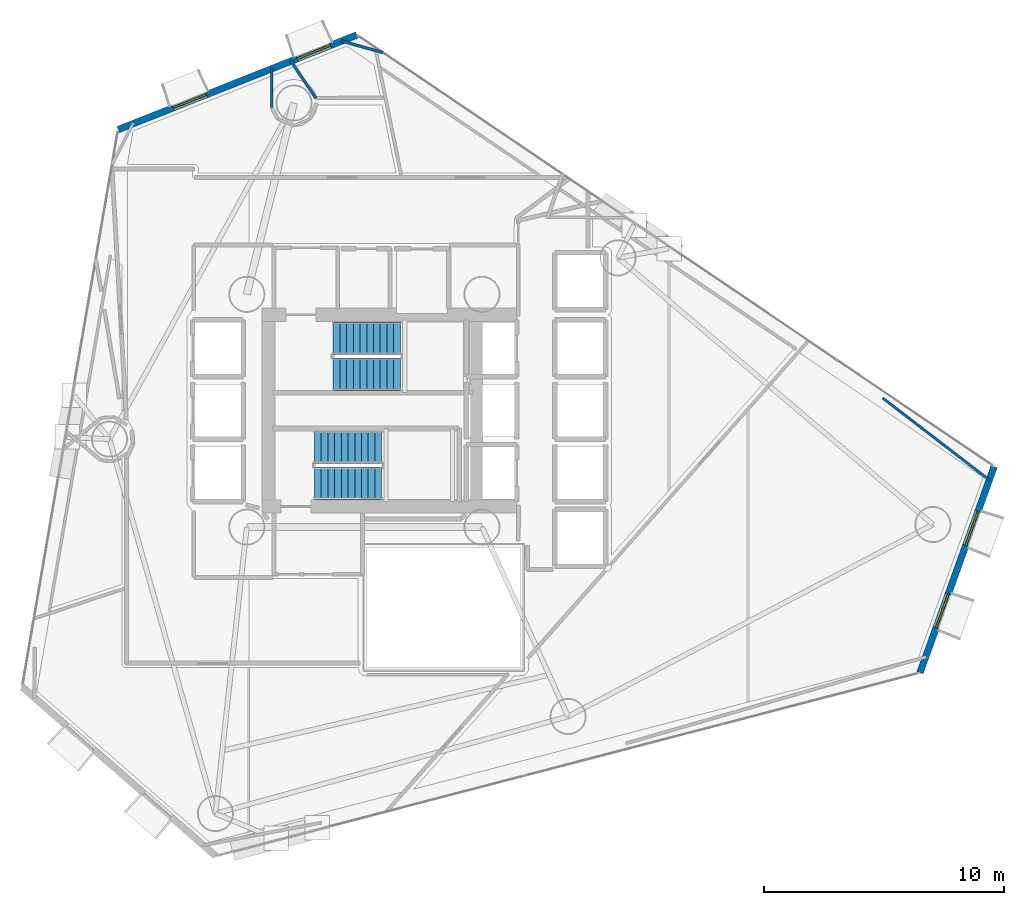
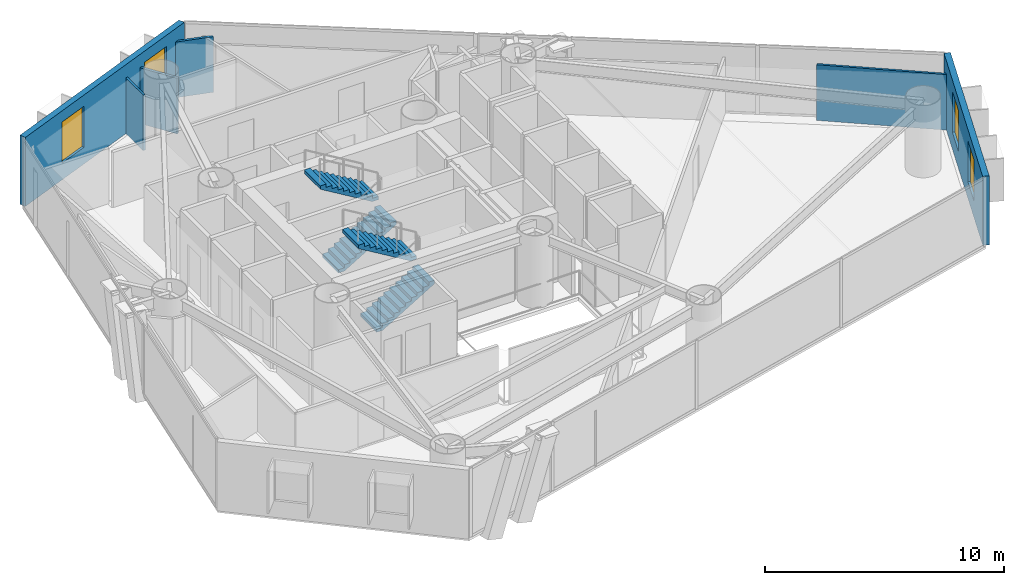
# One storey, part 18 of 21: 6 walls, 4 stair flights, 4 windows, 4 openings, 2 elements without a shape of their own.
"""IFC4 building model written with IfcOpenShell, lengths in metres."""

from ifc_helpers import new_model, si_unit, direction, frame, frame_2d, origin, place, context, subcontext, project, spatial, polyline, rectangle, outline, extrude, material, layer, layer_set, type_object, element, fill, aggregate, save


model = new_model("IFC4")

# Units and contexts
model_context = context("Model", 3, precision=1e-05, world=origin(), true_north=direction((0.0, 1.0)))
body_context = subcontext(model_context, "Body", "Model", "MODEL_VIEW")
ifc_project = project(units=[si_unit("LENGTHUNIT", "METRE"), si_unit("AREAUNIT", "SQUARE_METRE"), si_unit("VOLUMEUNIT", "CUBIC_METRE"), si_unit("PLANEANGLEUNIT", "RADIAN"), si_unit("MASSUNIT", "GRAM", prefix="KILO")], contexts=[model_context])

# Site, building, storey
site_placement = place(None, origin())
site = spatial("IfcSite", under=ifc_project, at=site_placement, CompositionType="ELEMENT")
building_placement = place(site_placement, origin())
building = spatial("IfcBuilding", under=site, at=building_placement, Name="Qianvela Tower", CompositionType="ELEMENT")
storey_placement = place(building_placement, frame((0.0, 0.0, 105.199951171875)))
storey = spatial("IfcBuildingStorey", under=building, at=storey_placement, Name="L26", CompositionType="ELEMENT", Elevation=105.199951171875)

# Wall, openings, windows
ifc_material_1 = material(Name="Terracotta Cladding on Concrete C40", Category="masonry")
ifc_layer_1 = layer(ifc_material_1, 0.280029296875)
ifc_layer_set_1 = layer_set([ifc_layer_1], Name="Terracotta Cladding on Concrete C40")
wall_type_1 = type_object("IfcWallType", Name="TERRACOTTA-WALL-280", PredefinedType="SOLIDWALL", material=ifc_layer_set_1)
wall_1_placement = place(storey_placement, frame((56.656494140625, 17.77783203125, 0.0), z_axis=(0.0, 0.0, 1.0), x_axis=(0.338454364394, 0.940982807081, 0.0)))
wall_1 = element("IfcWall", 1, at=wall_1_placement, inside=storey, type_object=wall_type_1, Name="L26 Terracotta Chamfer Facet Wall 1", PredefinedType="SOLIDWALL", context=body_context, shape_type="SweptSolid", body=[
    extrude(rectangle(XDim=9.13134765625, YDim=0.280029296875, at=frame_2d((4.565673828125, 0.0))), origin(), (0.0, 0.0, 1.0), 3.52001953125),
])
opening_1_placement = place(wall_1_placement, frame((1.989501953125, 0.0, 0.85009765625)))
opening_1 = element("IfcOpeningElement", 2, at=opening_1_placement, cuts=wall_1, Name="Opening W-02", PredefinedType="OPENING", context=body_context, shape_type="SweptSolid", body=[
    extrude(rectangle(XDim=1.5, YDim=2.10009765625, at=frame_2d((0.75, 1.050048828125))), frame((0.0, 0.14990234375, 0.0), z_axis=(0.0, -1.0, 0.0), x_axis=(1.0, 0.0, 0.0)), (0.0, 0.0, 1.0), 0.300048828125),
])
opening_2_placement = place(wall_1_placement, frame((5.64208984375, 0.0, 0.85009765625)))
opening_2 = element("IfcOpeningElement", 3, at=opening_2_placement, cuts=wall_1, Name="Opening W-02", PredefinedType="OPENING", context=body_context, shape_type="SweptSolid", body=[
    extrude(rectangle(XDim=1.5, YDim=2.10009765625, at=frame_2d((0.75, 1.050048828125))), frame((0.0, 0.14990234375, 0.0), z_axis=(0.0, -1.0, 0.0), x_axis=(1.0, 0.0, 0.0)), (0.0, 0.0, 1.0), 0.300048828125),
])
ifc_material_2 = material(Name="Thermally Broken Aluminium and Low-E Glass", Category="aluminium")
window_type = type_object("IfcWindowType", Name="WIN-TC-1500x2100", PartitioningType="DOUBLE_PANEL_VERTICAL", PredefinedType="WINDOW", material=ifc_material_2)
window_1_placement = place(opening_1_placement, origin())
window_1 = element("IfcWindow", 4, at=window_1_placement, inside=storey, type_object=window_type, Name="L26 Chamfer Facet Window 1.1", OverallHeight=2.10009765625, OverallWidth=1.5, PartitioningType="SINGLE_PANEL", PredefinedType="WINDOW", context=body_context, shape_type="SweptSolid", body=[
    extrude(rectangle(XDim=1.5, YDim=2.10009765625, at=frame_2d((0.75, 1.050048828125))), frame((0.0, 0.030029296875, 0.0), z_axis=(0.0, -1.0, 0.0), x_axis=(1.0, 0.0, 0.0)), (0.0, 0.0, 1.0), 0.06005859375),
])
fill(opening_1, window_1)
window_2_placement = place(opening_2_placement, origin())
window_2 = element("IfcWindow", 5, at=window_2_placement, inside=storey, type_object=window_type, Name="L26 Chamfer Facet Window 1.2", OverallHeight=2.10009765625, OverallWidth=1.5, PartitioningType="SINGLE_PANEL", PredefinedType="WINDOW", context=body_context, shape_type="SweptSolid", body=[
    extrude(rectangle(XDim=1.5, YDim=2.10009765625, at=frame_2d((0.75, 1.050048828125))), frame((0.0, 0.030029296875, 0.0), z_axis=(0.0, -1.0, 0.0), x_axis=(1.0, 0.0, 0.0)), (0.0, 0.0, 1.0), 0.06005859375),
])
fill(opening_2, window_2)

wall_2_placement = place(storey_placement, frame((33.188232421875, 44.36083984375, 0.0), z_axis=(0.0, 0.0, 1.0), x_axis=(-0.929607947385, -0.368549947983, 0.0)))
wall_2 = element("IfcWall", 6, at=wall_2_placement, inside=storey, type_object=wall_type_1, Name="L26 Terracotta Chamfer Facet Wall 3", PredefinedType="SOLIDWALL", context=body_context, shape_type="SweptSolid", body=[
    extrude(rectangle(XDim=10.705078125, YDim=0.280029296875, at=frame_2d((5.3525390625, 0.0))), origin(), (0.0, 0.0, 1.0), 3.52001953125),
])
opening_3_placement = place(wall_2_placement, frame((1.181396484375, 0.0, 0.85009765625)))
opening_3 = element("IfcOpeningElement", 7, at=opening_3_placement, cuts=wall_2, Name="Opening W-02", PredefinedType="OPENING", context=body_context, shape_type="SweptSolid", body=[
    extrude(rectangle(XDim=1.5, YDim=2.10009765625, at=frame_2d((0.75, 1.050048828125))), frame((0.0, 0.14990234375, 0.0), z_axis=(0.0, -1.0, 0.0), x_axis=(1.0, 0.0, 0.0)), (0.0, 0.0, 1.0), 0.300048828125),
])
opening_4_placement = place(wall_2_placement, frame((6.743408203125, 0.0, 0.85009765625)))
opening_4 = element("IfcOpeningElement", 8, at=opening_4_placement, cuts=wall_2, Name="Opening W-02", PredefinedType="OPENING", context=body_context, shape_type="SweptSolid", body=[
    extrude(rectangle(XDim=1.5, YDim=2.10009765625, at=frame_2d((0.75, 1.050048828125))), frame((0.0, 0.14990234375, 0.0), z_axis=(0.0, -1.0, 0.0), x_axis=(1.0, 0.0, 0.0)), (0.0, 0.0, 1.0), 0.300048828125),
])
window_3_placement = place(opening_3_placement, origin())
window_3 = element("IfcWindow", 9, at=window_3_placement, inside=storey, type_object=window_type, Name="L26 Chamfer Facet Window 3.1", OverallHeight=2.10009765625, OverallWidth=1.5, PartitioningType="SINGLE_PANEL", PredefinedType="WINDOW", context=body_context, shape_type="SweptSolid", body=[
    extrude(rectangle(XDim=1.5, YDim=2.10009765625, at=frame_2d((0.75, 1.050048828125))), frame((0.0, 0.030029296875, 0.0), z_axis=(0.0, -1.0, 0.0), x_axis=(1.0, 0.0, 0.0)), (0.0, 0.0, 1.0), 0.06005859375),
])
fill(opening_3, window_3)
window_4_placement = place(opening_4_placement, origin())
window_4 = element("IfcWindow", 10, at=window_4_placement, inside=storey, type_object=window_type, Name="L26 Chamfer Facet Window 3.2", OverallHeight=2.10009765625, OverallWidth=1.5, PartitioningType="SINGLE_PANEL", PredefinedType="WINDOW", context=body_context, shape_type="SweptSolid", body=[
    extrude(rectangle(XDim=1.5, YDim=2.10009765625, at=frame_2d((0.75, 1.050048828125))), frame((0.0, 0.030029296875, 0.0), z_axis=(0.0, -1.0, 0.0), x_axis=(1.0, 0.0, 0.0)), (0.0, 0.0, 1.0), 0.06005859375),
])
fill(opening_4, window_4)

# Walls
ifc_material_3 = material(Name="Lightweight Gypsum Room Partition")
ifc_layer_2 = layer(ifc_material_3, 0.10498046875)
ifc_layer_set_2 = layer_set([ifc_layer_2], Name="Lightweight Gypsum Room Partition")
wall_type_2 = type_object("IfcWallType", Name="WT-PART-105", PredefinedType="PARTITIONING", material=ifc_layer_set_2)
wall_3_placement = place(storey_placement, frame((55.105712890625, 29.224365234375, 0.0), z_axis=(0.0, 0.0, 1.0), x_axis=(0.792945217065, -0.609292936717, 0.0)))
element("IfcWall", 11, at=wall_3_placement, inside=storey, type_object=wall_type_2, Name="L26 Partition 65 seg 1", PredefinedType="PARTITIONING", context=body_context, shape_type="SweptSolid", body=[
    extrude(rectangle(XDim=5.62060546875, YDim=0.10498046875, at=frame_2d((2.810302734375, 0.0))), origin(), (0.0, 0.0, 1.0), 2.840087890625),
])
wall_4_placement = place(storey_placement, frame((29.640380859375, 42.974365234375, 0.0), z_axis=(0.0, 0.0, 1.0), x_axis=(0.0, -1.0, 0.0)))
element("IfcWall", 12, at=wall_4_placement, inside=storey, type_object=wall_type_2, Name="L26 Partition 95", PredefinedType="PARTITIONING", context=body_context, shape_type="SweptSolid", body=[
    extrude(rectangle(XDim=1.630859375, YDim=0.10498046875, at=frame_2d((0.8154296875, 0.0))), origin(), (0.0, 0.0, 1.0), 2.840087890625),
])
ifc_material_4 = material(Name="Insulated Gypsum Stud Partition")
ifc_layer_3 = layer(ifc_material_4, 0.1201171875)
ifc_layer_set_3 = layer_set([ifc_layer_3], Name="Insulated Gypsum Stud Partition")
wall_type_3 = type_object("IfcWallType", Name="WT-PART-120", PredefinedType="PARTITIONING", material=ifc_layer_set_3)
wall_5_placement = place(storey_placement, frame((32.523681640625, 44.115234375, 0.0), z_axis=(0.0, 0.0, 1.0), x_axis=(0.962878976212, -0.269933468042, 0.0)))
element("IfcWall", 13, at=wall_5_placement, inside=storey, type_object=wall_type_3, Name="L26 Partition 88", PredefinedType="PARTITIONING", context=body_context, shape_type="SweptSolid", body=[
    extrude(rectangle(XDim=1.81982421875, YDim=0.1201171875, at=frame_2d((0.909912109375, 0.0))), origin(), (0.0, 0.0, 1.0), 2.840087890625),
])
wall_6_placement = place(storey_placement, frame((31.481201171875, 41.71923828125, 0.0), z_axis=(0.0, 0.0, 1.0), x_axis=(-0.556846029643, 0.830615735025, 0.0)))
element("IfcWall", 14, at=wall_6_placement, inside=storey, type_object=wall_type_3, Name="L26 Partition 91", PredefinedType="PARTITIONING", context=body_context, shape_type="SweptSolid", body=[
    extrude(rectangle(XDim=1.888671875, YDim=0.1201171875, at=frame_2d((0.9443359375, 0.0))), origin(), (0.0, 0.0, 1.0), 2.840087890625),
])

# Stair, stair flights
ifc_material_5 = material(Name="Concrete C40", Category="concrete")
stair_type = type_object("IfcStairType", Name="ST-DOGLEG-1350-R168-N22", PredefinedType="HALF_TURN_STAIR", material=ifc_material_5)
stair_1_placement = place(storey_placement, origin())
stair_1 = element("IfcStair", 15, at=stair_1_placement, inside=storey, type_object=stair_type, Name="L26 Smoke-Proof Core Stair ST-1", PredefinedType="HALF_TURN_STAIR")
ifc_material_6 = material(Name="Concrete C40", Category="concrete")
stair_flight_type = type_object("IfcStairFlightType", Name="STF-STRAIGHT-R168-P11", PredefinedType="STRAIGHT", material=ifc_material_6)
stair_flight_1_placement = place(storey_placement, frame((32.199951171875, 30.215087890625, 0.0), z_axis=(0.0, 0.0, 1.0), x_axis=(1.0, 0.0, 0.0)))
stair_flight_1 = element("IfcStairFlight", 16, at=stair_flight_1_placement, type_object=stair_flight_type, Name="ST-1 flight 1", NumberOfRisers=11, NumberOfTreads=10, PredefinedType="STRAIGHT", RiserHeight=0.168181818, TreadLength=0.28, context=body_context, shape_type="SweptSolid", body=[
    extrude(outline(polyline([(0.0, 0.0), (0.0, 0.168212890625), (0.280029296875, 0.168212890625), (0.280029296875, 0.33642578125), (0.56005859375, 0.33642578125), (0.56005859375, 0.504638671875), (0.840087890625, 0.504638671875), (0.840087890625, 0.672607421875), (1.1201171875, 0.672607421875), (1.1201171875, 0.8408203125), (1.39990234375, 0.8408203125), (1.39990234375, 1.009033203125), (1.679931640625, 1.009033203125), (1.679931640625, 1.17724609375), (1.9599609375, 1.17724609375), (1.9599609375, 1.345458984375), (2.239990234375, 1.345458984375), (2.239990234375, 1.513671875), (2.52001953125, 1.513671875), (2.52001953125, 1.681884765625), (2.800048828125, 1.681884765625), (2.800048828125, 1.85009765625), (2.800048828125, 1.5068359375), (0.291015625, 0.0), (0.0, 0.0)])), frame((0.0, 0.675048828125, 0.0), z_axis=(0.0, -1.0, 0.0), x_axis=(1.0, 0.0, 0.0)), (0.0, 0.0, 1.0), 1.35009765625),
])
stair_flight_2_placement = place(storey_placement, frame((35.0, 31.72509765625, 1.85009765625), z_axis=(0.0, 0.0, 1.0), x_axis=(-1.0, 0.0, 0.0)))
stair_flight_2 = element("IfcStairFlight", 17, at=stair_flight_2_placement, type_object=stair_flight_type, Name="ST-1 flight 2", NumberOfRisers=11, NumberOfTreads=10, PredefinedType="STRAIGHT", RiserHeight=0.168181818, TreadLength=0.28, context=body_context, shape_type="SweptSolid", body=[
    extrude(outline(polyline([(0.0, 0.0), (0.0, 0.168212890625), (0.280029296875, 0.168212890625), (0.280029296875, 0.33642578125), (0.56005859375, 0.33642578125), (0.56005859375, 0.504638671875), (0.840087890625, 0.504638671875), (0.840087890625, 0.672607421875), (1.1201171875, 0.672607421875), (1.1201171875, 0.8408203125), (1.39990234375, 0.8408203125), (1.39990234375, 1.009033203125), (1.679931640625, 1.009033203125), (1.679931640625, 1.17724609375), (1.9599609375, 1.17724609375), (1.9599609375, 1.345458984375), (2.239990234375, 1.345458984375), (2.239990234375, 1.513671875), (2.52001953125, 1.513671875), (2.52001953125, 1.681884765625), (2.800048828125, 1.681884765625), (2.800048828125, 1.85009765625), (2.800048828125, 1.5068359375), (0.291015625, 0.0), (0.0, 0.0)])), frame((0.0, 0.675048828125, 0.0), z_axis=(0.0, -1.0, 0.0), x_axis=(1.0, 0.0, 0.0)), (0.0, 0.0, 1.0), 1.35009765625),
])
aggregate(stair_1, [stair_flight_1, stair_flight_2])

stair_2_placement = place(storey_placement, origin())
stair_2 = element("IfcStair", 18, at=stair_2_placement, inside=storey, type_object=stair_type, Name="L26 Smoke-Proof Core Stair ST-2", PredefinedType="HALF_TURN_STAIR")
stair_flight_3_placement = place(storey_placement, frame((31.419921875, 25.675048828125, 0.0), z_axis=(0.0, 0.0, 1.0), x_axis=(1.0, 0.0, 0.0)))
stair_flight_3 = element("IfcStairFlight", 19, at=stair_flight_3_placement, type_object=stair_flight_type, Name="ST-2 flight 1", NumberOfRisers=11, NumberOfTreads=10, PredefinedType="STRAIGHT", RiserHeight=0.168181818, TreadLength=0.28, context=body_context, shape_type="SweptSolid", body=[
    extrude(outline(polyline([(0.0, 0.0), (0.0, 0.168212890625), (0.280029296875, 0.168212890625), (0.280029296875, 0.33642578125), (0.56005859375, 0.33642578125), (0.56005859375, 0.504638671875), (0.840087890625, 0.504638671875), (0.840087890625, 0.672607421875), (1.1201171875, 0.672607421875), (1.1201171875, 0.8408203125), (1.39990234375, 0.8408203125), (1.39990234375, 1.009033203125), (1.679931640625, 1.009033203125), (1.679931640625, 1.17724609375), (1.9599609375, 1.17724609375), (1.9599609375, 1.345458984375), (2.239990234375, 1.345458984375), (2.239990234375, 1.513671875), (2.52001953125, 1.513671875), (2.52001953125, 1.681884765625), (2.800048828125, 1.681884765625), (2.800048828125, 1.85009765625), (2.800048828125, 1.5068359375), (0.291015625, 0.0), (0.0, 0.0)])), frame((0.0, 0.675048828125, 0.0), z_axis=(0.0, -1.0, 0.0), x_axis=(1.0, 0.0, 0.0)), (0.0, 0.0, 1.0), 1.35009765625),
])
stair_flight_4_placement = place(storey_placement, frame((34.219970703125, 27.18505859375, 1.85009765625), z_axis=(0.0, 0.0, 1.0), x_axis=(-1.0, 0.0, 0.0)))
stair_flight_4 = element("IfcStairFlight", 20, at=stair_flight_4_placement, type_object=stair_flight_type, Name="ST-2 flight 2", NumberOfRisers=11, NumberOfTreads=10, PredefinedType="STRAIGHT", RiserHeight=0.168181818, TreadLength=0.28, context=body_context, shape_type="SweptSolid", body=[
    extrude(outline(polyline([(0.0, 0.0), (0.0, 0.168212890625), (0.280029296875, 0.168212890625), (0.280029296875, 0.33642578125), (0.56005859375, 0.33642578125), (0.56005859375, 0.504638671875), (0.840087890625, 0.504638671875), (0.840087890625, 0.672607421875), (1.1201171875, 0.672607421875), (1.1201171875, 0.8408203125), (1.39990234375, 0.8408203125), (1.39990234375, 1.009033203125), (1.679931640625, 1.009033203125), (1.679931640625, 1.17724609375), (1.9599609375, 1.17724609375), (1.9599609375, 1.345458984375), (2.239990234375, 1.345458984375), (2.239990234375, 1.513671875), (2.52001953125, 1.513671875), (2.52001953125, 1.681884765625), (2.800048828125, 1.681884765625), (2.800048828125, 1.85009765625), (2.800048828125, 1.5068359375), (0.291015625, 0.0), (0.0, 0.0)])), frame((0.0, 0.675048828125, 0.0), z_axis=(0.0, -1.0, 0.0), x_axis=(1.0, 0.0, 0.0)), (0.0, 0.0, 1.0), 1.35009765625),
])
aggregate(stair_2, [stair_flight_3, stair_flight_4])

save(model, "model.ifc")
